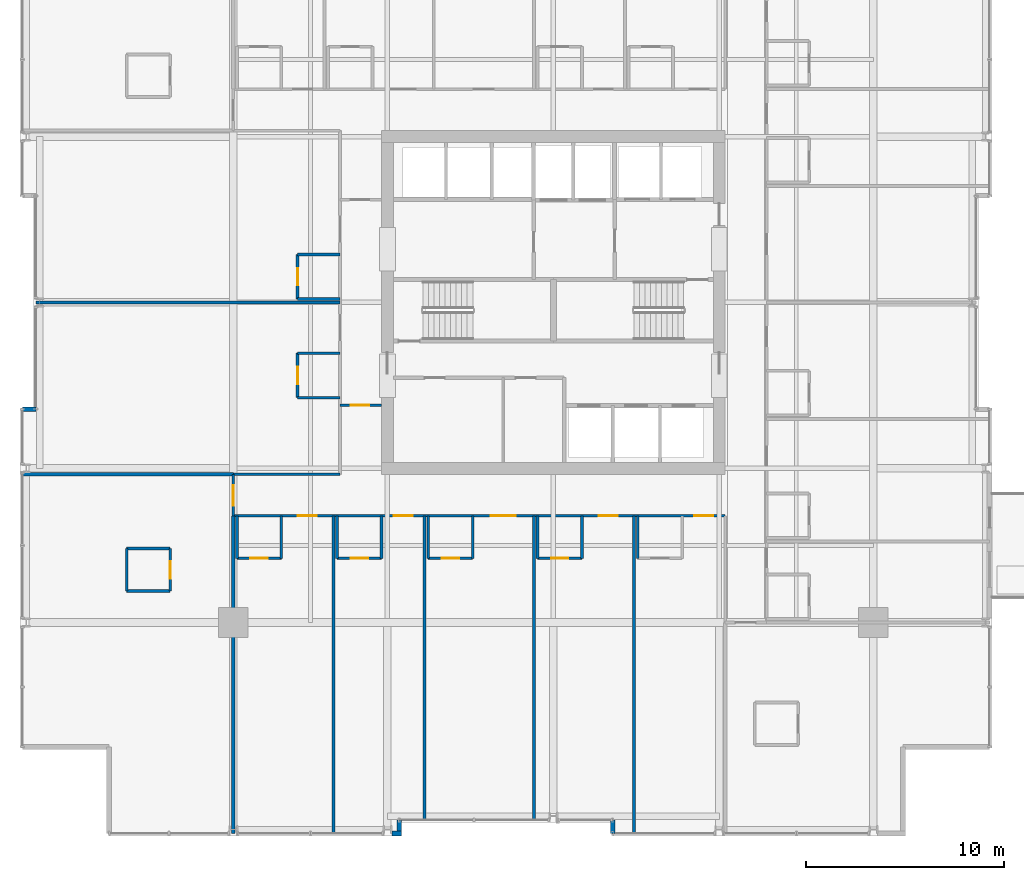
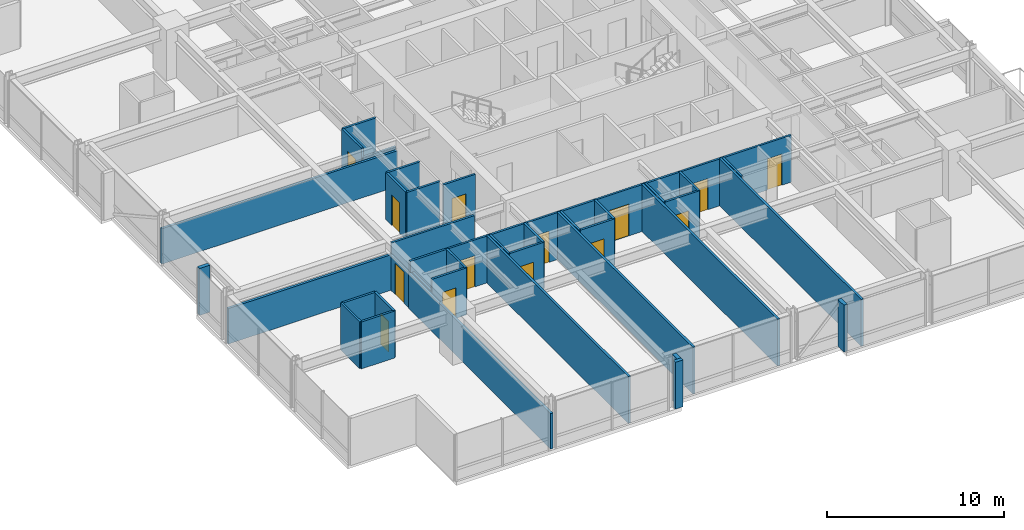
# One storey, part 28 of 35: 38 walls, 14 doors, 14 openings.
"""IFC4 building model written with IfcOpenShell, lengths in metres."""

from ifc_helpers import new_model, si_unit, direction, frame, frame_2d, origin, place, context, subcontext, project, spatial, rectangle, extrude, material, layer, layer_set, type_object, element, fill, save


model = new_model("IFC4")

# Units and contexts
model_context = context("Model", 3, precision=1e-05, world=origin(), true_north=direction((0.0, 1.0)))
body_context = subcontext(model_context, "Body", "Model", "MODEL_VIEW")
ifc_project = project(units=[si_unit("LENGTHUNIT", "METRE"), si_unit("AREAUNIT", "SQUARE_METRE"), si_unit("VOLUMEUNIT", "CUBIC_METRE"), si_unit("PLANEANGLEUNIT", "RADIAN"), si_unit("MASSUNIT", "GRAM", prefix="KILO")], contexts=[model_context])

# Site, building, storey
site_placement = place(None, origin())
site = spatial("IfcSite", under=ifc_project, at=site_placement, CompositionType="ELEMENT")
building_placement = place(site_placement, origin())
building = spatial("IfcBuilding", under=site, at=building_placement, Name="Drelvath Grand Hotel", CompositionType="ELEMENT")
storey_placement = place(building_placement, frame((0.0, 0.0, 95.300048828125)))
storey = spatial("IfcBuildingStorey", under=building, at=storey_placement, Name="L23", CompositionType="ELEMENT", Elevation=95.300048828125)

# Wall, opening, door
ifc_material_1 = material(Name="Gypsum Fireboard Partition")
ifc_layer_1 = layer(ifc_material_1, 0.135009765625)
ifc_layer_set_1 = layer_set([ifc_layer_1], Name="Gypsum Fireboard Partition")
wall_type_1 = type_object("IfcWallType", Name="Corridor Fire Barrier Wall 135", PredefinedType="PARTITIONING", material=ifc_layer_set_1)
wall_1_placement = place(storey_placement, frame((-10.800048828125, 21.800048828125, 0.0), z_axis=(0.0, 0.0, 1.0), x_axis=(1.0, 0.0, 0.0)))
wall_1 = element("IfcWall", 1, at=wall_1_placement, inside=storey, type_object=wall_type_1, Name="L23 West Foyer South Wall", PredefinedType="PARTITIONING", context=body_context, shape_type="SweptSolid", body=[
    extrude(rectangle(XDim=2.10009765625, YDim=0.135009765625, at=frame_2d((1.050048828125, 0.0))), origin(), (0.0, 0.0, 1.0), 3.239990234375),
])
opening_1_placement = place(wall_1_placement, frame((0.550048828125, 0.0, 0.0)))
opening_1 = element("IfcOpeningElement", 2, at=opening_1_placement, cuts=wall_1, Name="Opening D-T2G1-017", PredefinedType="OPENING", context=body_context, shape_type="SweptSolid", body=[
    extrude(rectangle(XDim=0.919921875, YDim=2.10009765625, at=frame_2d((0.4599609375, 1.050048828125))), frame((0.0, 0.077392578125, 0.0), z_axis=(0.0, -1.0, 0.0), x_axis=(1.0, 0.0, 0.0)), (0.0, 0.0, 1.0), 0.155029296875),
])
ifc_material_2 = material(Name="Painted Steel S275", Category="steel")
door_type_1 = type_object("IfcDoorType", Name="Staff Utility Door 920x2100", OperationType="NOTDEFINED", PredefinedType="DOOR", material=ifc_material_2)
door_1_placement = place(opening_1_placement, origin())
door_1 = element("IfcDoor", 3, at=door_1_placement, inside=storey, type_object=door_type_1, Name="L23 West Linen Closet Door", OperationType="SINGLE_SWING_RIGHT", OverallHeight=2.10009765625, OverallWidth=0.919921875, PredefinedType="DOOR", context=body_context, shape_type="SweptSolid", body=[
    extrude(rectangle(XDim=0.919921875, YDim=2.10009765625, at=frame_2d((0.4599609375, 1.050048828125))), frame((0.0, 0.02490234375, 0.0), z_axis=(0.0, -1.0, 0.0), x_axis=(1.0, 0.0, 0.0)), (0.0, 0.0, 1.0), 0.050048828125),
])
fill(opening_1, door_1)

# Wall
wall_2_placement = place(storey_placement, frame((-16.199951171875, 18.300048828125, 0.0), z_axis=(0.0, 0.0, 1.0), x_axis=(1.0, 0.0, 0.0)))
element("IfcWall", 4, at=wall_2_placement, inside=storey, type_object=wall_type_1, Name="L23 SW Stub North Wall", PredefinedType="PARTITIONING", context=body_context, shape_type="SweptSolid", body=[
    extrude(rectangle(XDim=5.39990234375, YDim=0.135009765625, at=frame_2d((2.699951171875, 0.0))), origin(), (0.0, 0.0, 1.0), 3.239990234375),
])

# Wall, openings, doors
wall_3_placement = place(storey_placement, frame((-16.199951171875, 16.199951171875, 0.0), z_axis=(0.0, 0.0, 1.0), x_axis=(1.0, 0.0, 0.0)))
wall_3 = element("IfcWall", 5, at=wall_3_placement, inside=storey, type_object=wall_type_1, Name="L23 South Stub Corridor Wall", PredefinedType="PARTITIONING", context=body_context, shape_type="SweptSolid", body=[
    extrude(rectangle(XDim=24.89990234375, YDim=0.135009765625, at=frame_2d((12.449951171875, 0.0))), origin(), (0.0, 0.0, 1.0), 3.239990234375),
])
opening_2_placement = place(wall_3_placement, frame((3.27099609375, 0.0, 0.0)))
opening_2 = element("IfcOpeningElement", 6, at=opening_2_placement, cuts=wall_3, Name="Opening D-T2G1-028", PredefinedType="OPENING", context=body_context, shape_type="SweptSolid", body=[
    extrude(rectangle(XDim=0.9599609375, YDim=2.14990234375, at=frame_2d((0.47998046875, 1.074951171875))), frame((0.0, 0.077392578125, 0.0), z_axis=(0.0, -1.0, 0.0), x_axis=(1.0, 0.0, 0.0)), (0.0, 0.0, 1.0), 0.155029296875),
])
opening_3_placement = place(wall_3_placement, frame((8.11279296875, 0.0, 0.0)))
opening_3 = element("IfcOpeningElement", 7, at=opening_3_placement, cuts=wall_3, Name="Opening D-T2G1-030", PredefinedType="OPENING", context=body_context, shape_type="SweptSolid", body=[
    extrude(rectangle(XDim=0.9599609375, YDim=2.14990234375, at=frame_2d((0.47998046875, 1.074951171875))), frame((0.0, 0.077392578125, 0.0), z_axis=(0.0, -1.0, 0.0), x_axis=(1.0, 0.0, 0.0)), (0.0, 0.0, 1.0), 0.155029296875),
])
opening_4_placement = place(wall_3_placement, frame((13.034912109375, 0.0, 0.0)))
opening_4 = element("IfcOpeningElement", 8, at=opening_4_placement, cuts=wall_3, Name="Opening D-T2G1-032", PredefinedType="OPENING", context=body_context, shape_type="SweptSolid", body=[
    extrude(rectangle(XDim=1.260009765625, YDim=2.199951171875, at=frame_2d((0.6298828125, 1.10009765625))), frame((0.0, 0.077392578125, 0.0), z_axis=(0.0, -1.0, 0.0), x_axis=(1.0, 0.0, 0.0)), (0.0, 0.0, 1.0), 0.155029296875),
])
opening_5_placement = place(wall_3_placement, frame((18.48779296875, 0.0, 0.0)))
opening_5 = element("IfcOpeningElement", 9, at=opening_5_placement, cuts=wall_3, Name="Opening D-T2G1-034", PredefinedType="OPENING", context=body_context, shape_type="SweptSolid", body=[
    extrude(rectangle(XDim=0.9599609375, YDim=2.14990234375, at=frame_2d((0.47998046875, 1.074951171875))), frame((0.0, 0.077392578125, 0.0), z_axis=(0.0, -1.0, 0.0), x_axis=(1.0, 0.0, 0.0)), (0.0, 0.0, 1.0), 0.155029296875),
])
opening_6_placement = place(wall_3_placement, frame((23.329345703125, 0.0, 0.0)))
opening_6 = element("IfcOpeningElement", 10, at=opening_6_placement, cuts=wall_3, Name="Opening D-T2G1-036", PredefinedType="OPENING", context=body_context, shape_type="SweptSolid", body=[
    extrude(rectangle(XDim=0.9599609375, YDim=2.14990234375, at=frame_2d((0.47998046875, 1.074951171875))), frame((0.0, 0.077392578125, 0.0), z_axis=(0.0, -1.0, 0.0), x_axis=(1.0, 0.0, 0.0)), (0.0, 0.0, 1.0), 0.155029296875),
])
ifc_material_3 = material(Name="Hardwood Walnut Timber", Category="wood")
door_type_2 = type_object("IfcDoorType", Name="Guestroom Entrance Fire Door 960x2150", OperationType="NOTDEFINED", PredefinedType="DOOR", material=ifc_material_3)
door_2_placement = place(opening_2_placement, origin())
door_2 = element("IfcDoor", 11, at=door_2_placement, inside=storey, type_object=door_type_2, Name="L23 Deluxe Guest Room Entry Door", OperationType="SINGLE_SWING_LEFT", OverallHeight=2.14990234375, OverallWidth=0.9599609375, PredefinedType="DOOR", context=body_context, shape_type="SweptSolid", body=[
    extrude(rectangle(XDim=0.9599609375, YDim=2.14990234375, at=frame_2d((0.47998046875, 1.074951171875))), frame((0.0, 0.02490234375, 0.0), z_axis=(0.0, -1.0, 0.0), x_axis=(1.0, 0.0, 0.0)), (0.0, 0.0, 1.0), 0.050048828125),
])
fill(opening_2, door_2)
door_3_placement = place(opening_3_placement, origin())
door_3 = element("IfcDoor", 12, at=door_3_placement, inside=storey, type_object=door_type_2, Name="L23 Deluxe Guest Room Entry Door", OperationType="SINGLE_SWING_LEFT", OverallHeight=2.14990234375, OverallWidth=0.9599609375, PredefinedType="DOOR", context=body_context, shape_type="SweptSolid", body=[
    extrude(rectangle(XDim=0.9599609375, YDim=2.14990234375, at=frame_2d((0.47998046875, 1.074951171875))), frame((0.0, 0.02490234375, 0.0), z_axis=(0.0, -1.0, 0.0), x_axis=(1.0, 0.0, 0.0)), (0.0, 0.0, 1.0), 0.050048828125),
])
fill(opening_3, door_3)
door_4_placement = place(opening_5_placement, origin())
door_4 = element("IfcDoor", 13, at=door_4_placement, inside=storey, type_object=door_type_2, Name="L23 Deluxe Guest Room Entry Door", OperationType="SINGLE_SWING_LEFT", OverallHeight=2.14990234375, OverallWidth=0.9599609375, PredefinedType="DOOR", context=body_context, shape_type="SweptSolid", body=[
    extrude(rectangle(XDim=0.9599609375, YDim=2.14990234375, at=frame_2d((0.47998046875, 1.074951171875))), frame((0.0, 0.02490234375, 0.0), z_axis=(0.0, -1.0, 0.0), x_axis=(1.0, 0.0, 0.0)), (0.0, 0.0, 1.0), 0.050048828125),
])
fill(opening_5, door_4)
door_5_placement = place(opening_6_placement, origin())
door_5 = element("IfcDoor", 14, at=door_5_placement, inside=storey, type_object=door_type_2, Name="L23 Deluxe Guest Room Entry Door", OperationType="SINGLE_SWING_LEFT", OverallHeight=2.14990234375, OverallWidth=0.9599609375, PredefinedType="DOOR", context=body_context, shape_type="SweptSolid", body=[
    extrude(rectangle(XDim=0.9599609375, YDim=2.14990234375, at=frame_2d((0.47998046875, 1.074951171875))), frame((0.0, 0.02490234375, 0.0), z_axis=(0.0, -1.0, 0.0), x_axis=(1.0, 0.0, 0.0)), (0.0, 0.0, 1.0), 0.050048828125),
])
fill(opening_6, door_5)
door_type_3 = type_object("IfcDoorType", Name="Suite Entrance Fire Door 1260x2200", OperationType="NOTDEFINED", PredefinedType="DOOR", material=ifc_material_3)
door_6_placement = place(opening_4_placement, origin())
door_6 = element("IfcDoor", 15, at=door_6_placement, inside=storey, type_object=door_type_3, Name="L23 Corner Suite Entry Door", OperationType="SINGLE_SWING_LEFT", OverallHeight=2.199951171875, OverallWidth=1.260009765625, PredefinedType="DOOR", context=body_context, shape_type="SweptSolid", body=[
    extrude(rectangle(XDim=1.260009765625, YDim=2.199951171875, at=frame_2d((0.6298828125, 1.10009765625))), frame((0.0, 0.02490234375, 0.0), z_axis=(0.0, -1.0, 0.0), x_axis=(1.0, 0.0, 0.0)), (0.0, 0.0, 1.0), 0.050048828125),
])
fill(opening_4, door_6)

# Wall, opening, door
wall_4_placement = place(storey_placement, frame((-16.199951171875, 16.199951171875, 0.0), z_axis=(0.0, 0.0, 1.0), x_axis=(0.0, 1.0, 0.0)))
wall_4 = element("IfcWall", 16, at=wall_4_placement, inside=storey, type_object=wall_type_1, Name="L23 South Stub West End", PredefinedType="PARTITIONING", context=body_context, shape_type="SweptSolid", body=[
    extrude(rectangle(XDim=2.10009765625, YDim=0.135009765625, at=frame_2d((1.050048828125, 0.0))), origin(), (0.0, 0.0, 1.0), 2.45166015625),
])
opening_7_placement = place(wall_4_placement, frame((0.52001953125, 0.0, 0.0)))
opening_7 = element("IfcOpeningElement", 17, at=opening_7_placement, cuts=wall_4, Name="Opening D-T2G1-020", PredefinedType="OPENING", context=body_context, shape_type="SweptSolid", body=[
    extrude(rectangle(XDim=1.02001953125, YDim=2.14990234375, at=frame_2d((0.510009765625, 1.074951171875))), frame((0.0, 0.077392578125, 0.0), z_axis=(0.0, -1.0, 0.0), x_axis=(1.0, 0.0, 0.0)), (0.0, 0.0, 1.0), 0.155029296875),
])
door_type_4 = type_object("IfcDoorType", Name="Amenity Meeting Fire Door 1020x2150", OperationType="NOTDEFINED", PredefinedType="DOOR", material=ifc_material_3)
door_7_placement = place(opening_7_placement, origin())
door_7 = element("IfcDoor", 18, at=door_7_placement, inside=storey, type_object=door_type_4, Name="L23 Corner Suite Entry Door", OperationType="SINGLE_SWING_LEFT", OverallHeight=2.14990234375, OverallWidth=1.02001953125, PredefinedType="DOOR", context=body_context, shape_type="SweptSolid", body=[
    extrude(rectangle(XDim=1.02001953125, YDim=2.14990234375, at=frame_2d((0.510009765625, 1.074951171875))), frame((0.0, 0.02490234375, 0.0), z_axis=(0.0, -1.0, 0.0), x_axis=(1.0, 0.0, 0.0)), (0.0, 0.0, 1.0), 0.050048828125),
])
fill(opening_7, door_7)

# Walls
ifc_material_4 = material(Name="Moisture-Resistant Gypsum Board")
ifc_layer_2 = layer(ifc_material_4, 0.139892578125)
ifc_layer_set_2 = layer_set([ifc_layer_2], Name="Moisture-Resistant Gypsum Board")
wall_type_2 = type_object("IfcWallType", Name="En-Suite Plumbing Wall 140", PredefinedType="PLUMBINGWALL", material=ifc_layer_set_2)
for number, where, z_axis, x_axis, name in (
    (19, (-21.60009765625, 12.39990234375, 0.0), (0.0, 0.0, 1.0), (1.0, 0.0, 0.0), "L23 Corner En-Suite South"),
    (20, (-21.60009765625, 14.550048828125, 0.0), (0.0, 0.0, 1.0), (1.0, 0.0, 0.0), "L23 Corner En-Suite North"),
):
    element("IfcWall", number, at=place(storey_placement, frame(where, z_axis=z_axis, x_axis=x_axis)), inside=storey, type_object=wall_type_2, Name=name, PredefinedType="PLUMBINGWALL", context=body_context, shape_type="SweptSolid", body=[
        extrude(rectangle(XDim=2.2001953125, YDim=0.139892578125, at=frame_2d((1.10009765625, 0.0))), origin(), (0.0, 0.0, 1.0), 3.239990234375),
    ])
wall_5_placement = place(storey_placement, frame((-21.60009765625, 12.39990234375, 0.0), z_axis=(0.0, 0.0, 1.0), x_axis=(0.0, 1.0, 0.0)))
element("IfcWall", 21, at=wall_5_placement, inside=storey, type_object=wall_type_2, Name="L23 Corner En-Suite West", PredefinedType="PLUMBINGWALL", context=body_context, shape_type="SweptSolid", body=[
    extrude(rectangle(XDim=2.150146484375, YDim=0.139892578125, at=frame_2d((1.0751953125, 0.0))), origin(), (0.0, 0.0, 1.0), 3.239990234375),
])

# Wall, opening, door
wall_6_placement = place(storey_placement, frame((-19.39990234375, 12.39990234375, 0.0), z_axis=(0.0, 0.0, 1.0), x_axis=(0.0, 1.0, 0.0)))
wall_6 = element("IfcWall", 22, at=wall_6_placement, inside=storey, type_object=wall_type_2, Name="L23 Corner En-Suite East", PredefinedType="PLUMBINGWALL", context=body_context, shape_type="SweptSolid", body=[
    extrude(rectangle(XDim=2.150146484375, YDim=0.139892578125, at=frame_2d((1.0751953125, 0.0))), origin(), (0.0, 0.0, 1.0), 3.239990234375),
])
opening_8_placement = place(wall_6_placement, frame((0.6201171875, 0.0, 0.0)))
opening_8 = element("IfcOpeningElement", 23, at=opening_8_placement, cuts=wall_6, Name="Opening D-T2G1-019", PredefinedType="OPENING", context=body_context, shape_type="SweptSolid", body=[
    extrude(rectangle(XDim=0.8798828125, YDim=2.10009765625, at=frame_2d((0.43994140625, 1.050048828125))), frame((0.0, 0.079833984375, 0.0), z_axis=(0.0, -1.0, 0.0), x_axis=(1.0, 0.0, 0.0)), (0.0, 0.0, 1.0), 0.159912109375),
])
door_type_5 = type_object("IfcDoorType", Name="En-Suite Bathroom Door 880x2100", OperationType="NOTDEFINED", PredefinedType="DOOR", material=ifc_material_3)
door_8_placement = place(opening_8_placement, origin())
door_8 = element("IfcDoor", 24, at=door_8_placement, inside=storey, type_object=door_type_5, Name="L23 Corner En-Suite Door", OperationType="SINGLE_SWING_RIGHT", OverallHeight=2.10009765625, OverallWidth=0.8798828125, PredefinedType="DOOR", context=body_context, shape_type="SweptSolid", body=[
    extrude(rectangle(XDim=0.8798828125, YDim=2.10009765625, at=frame_2d((0.43994140625, 1.050048828125))), frame((0.0, 0.02490234375, 0.0), z_axis=(0.0, -1.0, 0.0), x_axis=(1.0, 0.0, 0.0)), (0.0, 0.0, 1.0), 0.050048828125),
])
fill(opening_8, door_8)

# Walls
wall_7_placement = place(storey_placement, frame((-16.02001953125, 16.199951171875, 0.0), z_axis=(0.0, 0.0, 1.0), x_axis=(0.0, -1.0, 0.0)))
element("IfcWall", 25, at=wall_7_placement, inside=storey, type_object=wall_type_2, Name="L23 En-Suite Left Wall", PredefinedType="PLUMBINGWALL", context=body_context, shape_type="SweptSolid", body=[
    extrude(rectangle(XDim=2.14990234375, YDim=0.139892578125, at=frame_2d((1.074951171875, 0.0))), origin(), (0.0, 0.0, 1.0), 2.45166015625),
])
wall_8_placement = place(storey_placement, frame((-13.77001953125, 16.199951171875, 0.0), z_axis=(0.0, 0.0, 1.0), x_axis=(0.0, -1.0, 0.0)))
element("IfcWall", 26, at=wall_8_placement, inside=storey, type_object=wall_type_2, Name="L23 En-Suite Right Wall", PredefinedType="PLUMBINGWALL", context=body_context, shape_type="SweptSolid", body=[
    extrude(rectangle(XDim=2.14990234375, YDim=0.139892578125, at=frame_2d((1.074951171875, 0.0))), origin(), (0.0, 0.0, 1.0), 3.239990234375),
])

# Wall, opening, door
wall_9_placement = place(storey_placement, frame((-16.02001953125, 14.050048828125, 0.0), z_axis=(0.0, 0.0, 1.0), x_axis=(1.0, 0.0, 0.0)))
wall_9 = element("IfcWall", 27, at=wall_9_placement, inside=storey, type_object=wall_type_2, Name="L23 En-Suite Front Wall", PredefinedType="PLUMBINGWALL", context=body_context, shape_type="SweptSolid", body=[
    extrude(rectangle(XDim=2.25, YDim=0.139892578125, at=frame_2d((1.125, 0.0))), origin(), (0.0, 0.0, 1.0), 3.239990234375),
])
opening_9_placement = place(wall_9_placement, frame((0.68505859375, 0.0, 0.0)))
opening_9 = element("IfcOpeningElement", 28, at=opening_9_placement, cuts=wall_9, Name="Opening D-T2G1-027", PredefinedType="OPENING", context=body_context, shape_type="SweptSolid", body=[
    extrude(rectangle(XDim=0.8798828125, YDim=2.10009765625, at=frame_2d((0.43994140625, 1.050048828125))), frame((0.0, 0.079833984375, 0.0), z_axis=(0.0, -1.0, 0.0), x_axis=(1.0, 0.0, 0.0)), (0.0, 0.0, 1.0), 0.159912109375),
])
door_9_placement = place(opening_9_placement, origin())
door_9 = element("IfcDoor", 29, at=door_9_placement, inside=storey, type_object=door_type_5, Name="L23 En-Suite Bathroom Door", OperationType="SINGLE_SWING_RIGHT", OverallHeight=2.10009765625, OverallWidth=0.8798828125, PredefinedType="DOOR", context=body_context, shape_type="SweptSolid", body=[
    extrude(rectangle(XDim=0.8798828125, YDim=2.10009765625, at=frame_2d((0.43994140625, 1.050048828125))), frame((0.0, 0.02490234375, 0.0), z_axis=(0.0, -1.0, 0.0), x_axis=(1.0, 0.0, 0.0)), (0.0, 0.0, 1.0), 0.050048828125),
])
fill(opening_9, door_9)

# Walls
for number, where, z_axis, x_axis, name in (
    (30, (-10.94775390625, 16.199951171875, 0.0), (0.0, 0.0, 1.0), (0.0, -1.0, 0.0), "L23 En-Suite Left Wall"),
    (31, (-8.69775390625, 16.199951171875, 0.0), (0.0, 0.0, 1.0), (0.0, -1.0, 0.0), "L23 En-Suite Right Wall"),
):
    element("IfcWall", number, at=place(storey_placement, frame(where, z_axis=z_axis, x_axis=x_axis)), inside=storey, type_object=wall_type_2, Name=name, PredefinedType="PLUMBINGWALL", context=body_context, shape_type="SweptSolid", body=[
        extrude(rectangle(XDim=2.14990234375, YDim=0.139892578125, at=frame_2d((1.074951171875, 0.0))), origin(), (0.0, 0.0, 1.0), 3.239990234375),
    ])

# Wall, opening, door
wall_10_placement = place(storey_placement, frame((-10.94775390625, 14.050048828125, 0.0), z_axis=(0.0, 0.0, 1.0), x_axis=(1.0, 0.0, 0.0)))
wall_10 = element("IfcWall", 32, at=wall_10_placement, inside=storey, type_object=wall_type_2, Name="L23 En-Suite Front Wall", PredefinedType="PLUMBINGWALL", context=body_context, shape_type="SweptSolid", body=[
    extrude(rectangle(XDim=2.25, YDim=0.139892578125, at=frame_2d((1.125, 0.0))), origin(), (0.0, 0.0, 1.0), 3.239990234375),
])
opening_10_placement = place(wall_10_placement, frame((0.68505859375, 0.0, 0.0)))
opening_10 = element("IfcOpeningElement", 33, at=opening_10_placement, cuts=wall_10, Name="Opening D-T2G1-029", PredefinedType="OPENING", context=body_context, shape_type="SweptSolid", body=[
    extrude(rectangle(XDim=0.8798828125, YDim=2.10009765625, at=frame_2d((0.43994140625, 1.050048828125))), frame((0.0, 0.079833984375, 0.0), z_axis=(0.0, -1.0, 0.0), x_axis=(1.0, 0.0, 0.0)), (0.0, 0.0, 1.0), 0.159912109375),
])
door_10_placement = place(opening_10_placement, origin())
door_10 = element("IfcDoor", 34, at=door_10_placement, inside=storey, type_object=door_type_5, Name="L23 En-Suite Bathroom Door", OperationType="SINGLE_SWING_RIGHT", OverallHeight=2.10009765625, OverallWidth=0.8798828125, PredefinedType="DOOR", context=body_context, shape_type="SweptSolid", body=[
    extrude(rectangle(XDim=0.8798828125, YDim=2.10009765625, at=frame_2d((0.43994140625, 1.050048828125))), frame((0.0, 0.02490234375, 0.0), z_axis=(0.0, -1.0, 0.0), x_axis=(1.0, 0.0, 0.0)), (0.0, 0.0, 1.0), 0.050048828125),
])
fill(opening_10, door_10)

# Walls
for number, where, z_axis, x_axis, name in (
    (35, (-6.336669921875, 16.199951171875, 0.0), (0.0, 0.0, 1.0), (0.0, -1.0, 0.0), "L23 En-Suite Left Wall"),
    (36, (-4.086669921875, 16.199951171875, 0.0), (0.0, 0.0, 1.0), (0.0, -1.0, 0.0), "L23 En-Suite Right Wall"),
):
    element("IfcWall", number, at=place(storey_placement, frame(where, z_axis=z_axis, x_axis=x_axis)), inside=storey, type_object=wall_type_2, Name=name, PredefinedType="PLUMBINGWALL", context=body_context, shape_type="SweptSolid", body=[
        extrude(rectangle(XDim=2.14990234375, YDim=0.139892578125, at=frame_2d((1.074951171875, 0.0))), origin(), (0.0, 0.0, 1.0), 3.239990234375),
    ])

# Wall, opening, door
wall_11_placement = place(storey_placement, frame((-6.336669921875, 14.050048828125, 0.0), z_axis=(0.0, 0.0, 1.0), x_axis=(1.0, 0.0, 0.0)))
wall_11 = element("IfcWall", 37, at=wall_11_placement, inside=storey, type_object=wall_type_2, Name="L23 En-Suite Front Wall", PredefinedType="PLUMBINGWALL", context=body_context, shape_type="SweptSolid", body=[
    extrude(rectangle(XDim=2.25, YDim=0.139892578125, at=frame_2d((1.125, 0.0))), origin(), (0.0, 0.0, 1.0), 3.239990234375),
])
opening_11_placement = place(wall_11_placement, frame((0.68505859375, 0.0, 0.0)))
opening_11 = element("IfcOpeningElement", 38, at=opening_11_placement, cuts=wall_11, Name="Opening D-T2G1-031", PredefinedType="OPENING", context=body_context, shape_type="SweptSolid", body=[
    extrude(rectangle(XDim=0.8798828125, YDim=2.10009765625, at=frame_2d((0.43994140625, 1.050048828125))), frame((0.0, 0.079833984375, 0.0), z_axis=(0.0, -1.0, 0.0), x_axis=(1.0, 0.0, 0.0)), (0.0, 0.0, 1.0), 0.159912109375),
])
door_11_placement = place(opening_11_placement, origin())
door_11 = element("IfcDoor", 39, at=door_11_placement, inside=storey, type_object=door_type_5, Name="L23 En-Suite Bathroom Door", OperationType="SINGLE_SWING_RIGHT", OverallHeight=2.10009765625, OverallWidth=0.8798828125, PredefinedType="DOOR", context=body_context, shape_type="SweptSolid", body=[
    extrude(rectangle(XDim=0.8798828125, YDim=2.10009765625, at=frame_2d((0.43994140625, 1.050048828125))), frame((0.0, 0.02490234375, 0.0), z_axis=(0.0, -1.0, 0.0), x_axis=(1.0, 0.0, 0.0)), (0.0, 0.0, 1.0), 0.050048828125),
])
fill(opening_11, door_11)

# Walls
for number, where, z_axis, x_axis, name in (
    (40, (-0.80322265625, 16.199951171875, 0.0), (0.0, 0.0, 1.0), (0.0, -1.0, 0.0), "L23 En-Suite Left Wall"),
    (41, (1.44677734375, 16.199951171875, 0.0), (0.0, 0.0, 1.0), (0.0, -1.0, 0.0), "L23 En-Suite Right Wall"),
):
    element("IfcWall", number, at=place(storey_placement, frame(where, z_axis=z_axis, x_axis=x_axis)), inside=storey, type_object=wall_type_2, Name=name, PredefinedType="PLUMBINGWALL", context=body_context, shape_type="SweptSolid", body=[
        extrude(rectangle(XDim=2.14990234375, YDim=0.139892578125, at=frame_2d((1.074951171875, 0.0))), origin(), (0.0, 0.0, 1.0), 3.239990234375),
    ])

# Wall, opening, door
wall_12_placement = place(storey_placement, frame((-0.80322265625, 14.050048828125, 0.0), z_axis=(0.0, 0.0, 1.0), x_axis=(1.0, 0.0, 0.0)))
wall_12 = element("IfcWall", 42, at=wall_12_placement, inside=storey, type_object=wall_type_2, Name="L23 En-Suite Front Wall", PredefinedType="PLUMBINGWALL", context=body_context, shape_type="SweptSolid", body=[
    extrude(rectangle(XDim=2.25, YDim=0.139892578125, at=frame_2d((1.125, 0.0))), origin(), (0.0, 0.0, 1.0), 3.239990234375),
])
opening_12_placement = place(wall_12_placement, frame((0.68505859375, 0.0, 0.0)))
opening_12 = element("IfcOpeningElement", 43, at=opening_12_placement, cuts=wall_12, Name="Opening D-T2G1-033", PredefinedType="OPENING", context=body_context, shape_type="SweptSolid", body=[
    extrude(rectangle(XDim=0.8798828125, YDim=2.10009765625, at=frame_2d((0.43994140625, 1.050048828125))), frame((0.0, 0.079833984375, 0.0), z_axis=(0.0, -1.0, 0.0), x_axis=(1.0, 0.0, 0.0)), (0.0, 0.0, 1.0), 0.159912109375),
])
door_12_placement = place(opening_12_placement, origin())
door_12 = element("IfcDoor", 44, at=door_12_placement, inside=storey, type_object=door_type_5, Name="L23 En-Suite Bathroom Door", OperationType="SINGLE_SWING_RIGHT", OverallHeight=2.10009765625, OverallWidth=0.8798828125, PredefinedType="DOOR", context=body_context, shape_type="SweptSolid", body=[
    extrude(rectangle(XDim=0.8798828125, YDim=2.10009765625, at=frame_2d((0.43994140625, 1.050048828125))), frame((0.0, 0.02490234375, 0.0), z_axis=(0.0, -1.0, 0.0), x_axis=(1.0, 0.0, 0.0)), (0.0, 0.0, 1.0), 0.050048828125),
])
fill(opening_12, door_12)

# Walls
for number, where, z_axis, x_axis, name in (
    (45, (4.268798828125, 16.199951171875, 0.0), (0.0, 0.0, 1.0), (0.0, -1.0, 0.0), "L23 En-Suite Left Wall"),
    (46, (-10.800048828125, 22.179931640625, 0.0), (0.0, 0.0, 1.0), (-1.0, 0.0, 0.0), "L23 En-Suite Left Wall"),
    (47, (-10.800048828125, 24.429931640625, 0.0), (0.0, 0.0, 1.0), (-1.0, 0.0, 0.0), "L23 En-Suite Right Wall"),
):
    element("IfcWall", number, at=place(storey_placement, frame(where, z_axis=z_axis, x_axis=x_axis)), inside=storey, type_object=wall_type_2, Name=name, PredefinedType="PLUMBINGWALL", context=body_context, shape_type="SweptSolid", body=[
        extrude(rectangle(XDim=2.14990234375, YDim=0.139892578125, at=frame_2d((1.074951171875, 0.0))), origin(), (0.0, 0.0, 1.0), 3.239990234375),
    ])

# Wall, opening, door
wall_13_placement = place(storey_placement, frame((-12.949951171875, 22.179931640625, 0.0), z_axis=(0.0, 0.0, 1.0), x_axis=(0.0, 1.0, 0.0)))
wall_13 = element("IfcWall", 48, at=wall_13_placement, inside=storey, type_object=wall_type_2, Name="L23 En-Suite Front Wall", PredefinedType="PLUMBINGWALL", context=body_context, shape_type="SweptSolid", body=[
    extrude(rectangle(XDim=2.25, YDim=0.139892578125, at=frame_2d((1.125, 0.0))), origin(), (0.0, 0.0, 1.0), 3.239990234375),
])
opening_13_placement = place(wall_13_placement, frame((0.68505859375, 0.0, 0.0)))
opening_13 = element("IfcOpeningElement", 49, at=opening_13_placement, cuts=wall_13, Name="Opening D-T2G1-057", PredefinedType="OPENING", context=body_context, shape_type="SweptSolid", body=[
    extrude(rectangle(XDim=0.8798828125, YDim=2.10009765625, at=frame_2d((0.43994140625, 1.050048828125))), frame((0.0, 0.079833984375, 0.0), z_axis=(0.0, -1.0, 0.0), x_axis=(1.0, 0.0, 0.0)), (0.0, 0.0, 1.0), 0.159912109375),
])
door_13_placement = place(opening_13_placement, origin())
door_13 = element("IfcDoor", 50, at=door_13_placement, inside=storey, type_object=door_type_5, Name="L23 En-Suite Bathroom Door", OperationType="SINGLE_SWING_RIGHT", OverallHeight=2.10009765625, OverallWidth=0.8798828125, PredefinedType="DOOR", context=body_context, shape_type="SweptSolid", body=[
    extrude(rectangle(XDim=0.8798828125, YDim=2.10009765625, at=frame_2d((0.43994140625, 1.050048828125))), frame((0.0, 0.02490234375, 0.0), z_axis=(0.0, -1.0, 0.0), x_axis=(1.0, 0.0, 0.0)), (0.0, 0.0, 1.0), 0.050048828125),
])
fill(opening_13, door_13)

# Walls
wall_14_placement = place(storey_placement, frame((-10.800048828125, 27.179931640625, 0.0), z_axis=(0.0, 0.0, 1.0), x_axis=(-1.0, 0.0, 0.0)))
element("IfcWall", 51, at=wall_14_placement, inside=storey, type_object=wall_type_2, Name="L23 En-Suite Left Wall", PredefinedType="PLUMBINGWALL", context=body_context, shape_type="SweptSolid", body=[
    extrude(rectangle(XDim=2.14990234375, YDim=0.139892578125, at=frame_2d((1.074951171875, 0.0))), origin(), (0.0, 0.0, 1.0), 2.617431640625),
])
wall_15_placement = place(storey_placement, frame((-10.800048828125, 29.429931640625, 0.0), z_axis=(0.0, 0.0, 1.0), x_axis=(-1.0, 0.0, 0.0)))
element("IfcWall", 52, at=wall_15_placement, inside=storey, type_object=wall_type_2, Name="L23 En-Suite Right Wall", PredefinedType="PLUMBINGWALL", context=body_context, shape_type="SweptSolid", body=[
    extrude(rectangle(XDim=2.14990234375, YDim=0.139892578125, at=frame_2d((1.074951171875, 0.0))), origin(), (0.0, 0.0, 1.0), 3.239990234375),
])

# Wall, opening, door
wall_16_placement = place(storey_placement, frame((-12.949951171875, 27.179931640625, 0.0), z_axis=(0.0, 0.0, 1.0), x_axis=(0.0, 1.0, 0.0)))
wall_16 = element("IfcWall", 53, at=wall_16_placement, inside=storey, type_object=wall_type_2, Name="L23 En-Suite Front Wall", PredefinedType="PLUMBINGWALL", context=body_context, shape_type="SweptSolid", body=[
    extrude(rectangle(XDim=2.25, YDim=0.139892578125, at=frame_2d((1.125, 0.0))), origin(), (0.0, 0.0, 1.0), 3.239990234375),
])
opening_14_placement = place(wall_16_placement, frame((0.68505859375, 0.0, 0.0)))
opening_14 = element("IfcOpeningElement", 54, at=opening_14_placement, cuts=wall_16, Name="Opening D-T2G1-059", PredefinedType="OPENING", context=body_context, shape_type="SweptSolid", body=[
    extrude(rectangle(XDim=0.8798828125, YDim=2.10009765625, at=frame_2d((0.43994140625, 1.050048828125))), frame((0.0, 0.079833984375, 0.0), z_axis=(0.0, -1.0, 0.0), x_axis=(1.0, 0.0, 0.0)), (0.0, 0.0, 1.0), 0.159912109375),
])
door_14_placement = place(opening_14_placement, origin())
door_14 = element("IfcDoor", 55, at=door_14_placement, inside=storey, type_object=door_type_5, Name="L23 En-Suite Bathroom Door", OperationType="SINGLE_SWING_RIGHT", OverallHeight=2.10009765625, OverallWidth=0.8798828125, PredefinedType="DOOR", context=body_context, shape_type="SweptSolid", body=[
    extrude(rectangle(XDim=0.8798828125, YDim=2.10009765625, at=frame_2d((0.43994140625, 1.050048828125))), frame((0.0, 0.02490234375, 0.0), z_axis=(0.0, -1.0, 0.0), x_axis=(1.0, 0.0, 0.0)), (0.0, 0.0, 1.0), 0.050048828125),
])
fill(opening_14, door_14)

# Walls
ifc_material_5 = material(Name="Gypsum Acoustic Partition")
ifc_layer_3 = layer(ifc_material_5, 0.14990234375)
ifc_layer_set_3 = layer_set([ifc_layer_3], Name="Gypsum Acoustic Partition")
wall_type_3 = type_object("IfcWallType", Name="Guestroom Demising Wall 150", PredefinedType="PARTITIONING", material=ifc_layer_set_3)
wall_17_placement = place(storey_placement, frame((-11.127685546875, 0.1201171875, 0.0), z_axis=(0.0, 0.0, 1.0), x_axis=(0.0, 1.0, 0.0)))
element("IfcWall", 56, at=wall_17_placement, inside=storey, type_object=wall_type_3, Name="L23 South Demising 1", PredefinedType="PARTITIONING", context=body_context, shape_type="SweptSolid", body=[
    extrude(rectangle(XDim=16.079833984375, YDim=0.14990234375, at=frame_2d((8.0400390625, 0.0))), origin(), (0.0, 0.0, 1.0), 3.239990234375),
])
for number, where, z_axis, x_axis, name in (
    (57, (-6.5166015625, 0.800048828125, 0.0), (0.0, 0.0, 1.0), (0.0, 1.0, 0.0), "L23 South Demising 2"),
    (58, (-0.9833984375, 0.800048828125, 0.0), (0.0, 0.0, 1.0), (0.0, 1.0, 0.0), "L23 South Demising 3"),
):
    element("IfcWall", number, at=place(storey_placement, frame(where, z_axis=z_axis, x_axis=x_axis)), inside=storey, type_object=wall_type_3, Name=name, PredefinedType="PARTITIONING", context=body_context, shape_type="SweptSolid", body=[
        extrude(rectangle(XDim=15.39990234375, YDim=0.14990234375, at=frame_2d((7.699951171875, 0.0))), origin(), (0.0, 0.0, 1.0), 3.239990234375),
    ])
wall_18_placement = place(storey_placement, frame((4.0888671875, 0.1201171875, 0.0), z_axis=(0.0, 0.0, 1.0), x_axis=(0.0, 1.0, 0.0)))
element("IfcWall", 59, at=wall_18_placement, inside=storey, type_object=wall_type_3, Name="L23 South Demising 4", PredefinedType="PARTITIONING", context=body_context, shape_type="SweptSolid", body=[
    extrude(rectangle(XDim=16.079833984375, YDim=0.14990234375, at=frame_2d((8.0400390625, 0.0))), origin(), (0.0, 0.0, 1.0), 3.239990234375),
])
wall_19_placement = place(storey_placement, frame((-26.199951171875, 27.0, 0.0), z_axis=(0.0, 0.0, 1.0), x_axis=(1.0, 0.0, 0.0)))
element("IfcWall", 60, at=wall_19_placement, inside=storey, type_object=wall_type_3, Name="L23 West Suite Demising Wall", PredefinedType="PARTITIONING", context=body_context, shape_type="SweptSolid", body=[
    extrude(rectangle(XDim=15.39990234375, YDim=0.14990234375, at=frame_2d((7.699951171875, 0.0))), origin(), (0.0, 0.0, 1.0), 2.45166015625),
])
ifc_layer_4 = layer(ifc_material_5, 0.1650390625)
ifc_layer_set_4 = layer_set([ifc_layer_4], Name="Gypsum Acoustic Partition")
wall_type_4 = type_object("IfcWallType", Name="Suite Demising Wall 165", PredefinedType="PARTITIONING", material=ifc_layer_set_4)
wall_20_placement = place(storey_placement, frame((-16.199951171875, 0.1201171875, 0.0), z_axis=(0.0, 0.0, 1.0), x_axis=(0.0, 1.0, 0.0)))
element("IfcWall", 61, at=wall_20_placement, inside=storey, type_object=wall_type_4, Name="L23 SW Suite East Wall", PredefinedType="PARTITIONING", context=body_context, shape_type="SweptSolid", body=[
    extrude(rectangle(XDim=16.079833984375, YDim=0.1650390625, at=frame_2d((8.0400390625, 0.0))), origin(), (0.0, 0.0, 1.0), 2.45166015625),
])
wall_21_placement = place(storey_placement, frame((-26.8798828125, 18.300048828125, 0.0), z_axis=(0.0, 0.0, 1.0), x_axis=(1.0, 0.0, 0.0)))
element("IfcWall", 62, at=wall_21_placement, inside=storey, type_object=wall_type_4, Name="L23 SW Suite North Wall", PredefinedType="PARTITIONING", context=body_context, shape_type="SweptSolid", body=[
    extrude(rectangle(XDim=10.679931640625, YDim=0.1650390625, at=frame_2d((5.33984375, 0.0))), origin(), (0.0, 0.0, 1.0), 2.45166015625),
])
ifc_material_6 = material(Name="Pale-Metal Insulated Aluminium Spandrel Assembly", Category="aluminium")
ifc_layer_5 = layer(ifc_material_6, 0.239990234375)
ifc_layer_set_5 = layer_set([ifc_layer_5], Name="Pale-Metal Insulated Aluminium Spandrel Assembly")
wall_type_5 = type_object("IfcWallType", Name="Tower Insulated Metal Spandrel Closure Wall 240", PredefinedType="STANDARD", material=ifc_layer_set_5)
wall_22_placement = place(storey_placement, frame((-7.679931640625, 0.1201171875, 0.0), z_axis=(0.0, 0.0, 1.0), x_axis=(-1.0, 0.0, 0.0)))
element("IfcWall", 63, at=wall_22_placement, inside=storey, type_object=wall_type_5, Name="L23 Corner Pier Spandrel Wall SW3", PredefinedType="STANDARD", context=body_context, shape_type="SweptSolid", body=[
    extrude(rectangle(XDim=0.50048828125, YDim=0.239990234375, at=frame_2d((0.250244140625, 0.0))), origin(), (0.0, 0.0, 1.0), 3.239990234375),
])
for number, where, z_axis, x_axis, name in (
    (64, (-26.8798828125, 21.60009765625, 0.0), (0.0, 0.0, 1.0), (1.0, 0.0, 0.0), "L23 Notched Corner Return Spandrel Wall RW1"),
    (65, (3.0, 0.1201171875, 0.0), (0.0, 0.0, 1.0), (0.0, 1.0, 0.0), "L23 Notched Corner Return Spandrel Wall RS1"),
):
    element("IfcWall", number, at=place(storey_placement, frame(where, z_axis=z_axis, x_axis=x_axis)), inside=storey, type_object=wall_type_5, Name=name, PredefinedType="STANDARD", context=body_context, shape_type="SweptSolid", body=[
        extrude(rectangle(XDim=0.679931640625, YDim=0.239990234375, at=frame_2d((0.33984375, 0.0))), origin(), (0.0, 0.0, 1.0), 3.239990234375),
    ])
wall_23_placement = place(storey_placement, frame((-7.800048828125, 0.800048828125, 0.0), z_axis=(0.0, 0.0, 1.0), x_axis=(0.0, -1.0, 0.0)))
element("IfcWall", 66, at=wall_23_placement, inside=storey, type_object=wall_type_5, Name="L23 Notched Corner Return Spandrel Wall RS2", PredefinedType="STANDARD", context=body_context, shape_type="SweptSolid", body=[
    extrude(rectangle(XDim=0.56005859375, YDim=0.239990234375, at=frame_2d((0.280029296875, 0.0))), origin(), (0.0, 0.0, 1.0), 3.239990234375),
])

save(model, "model.ifc")
